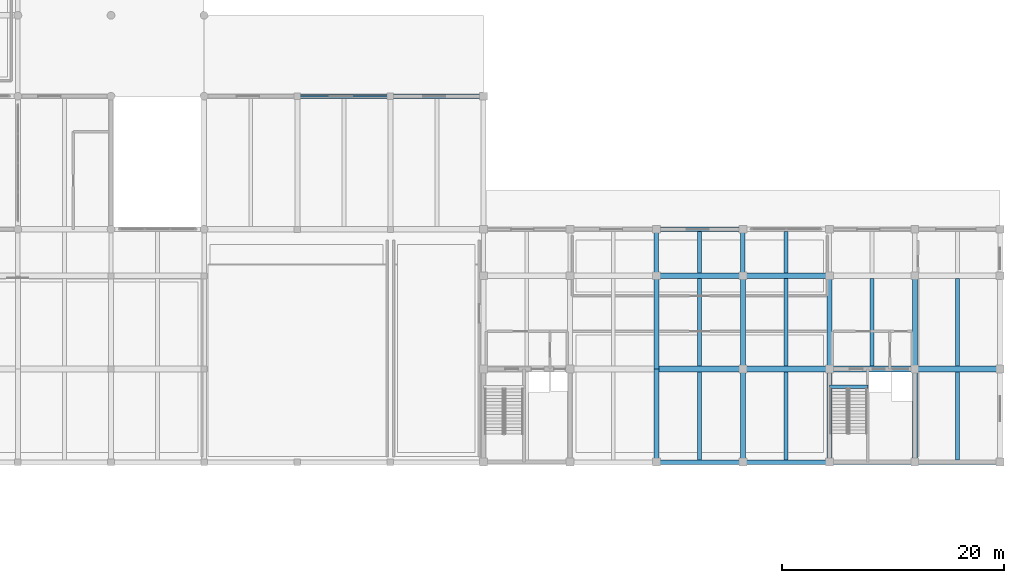
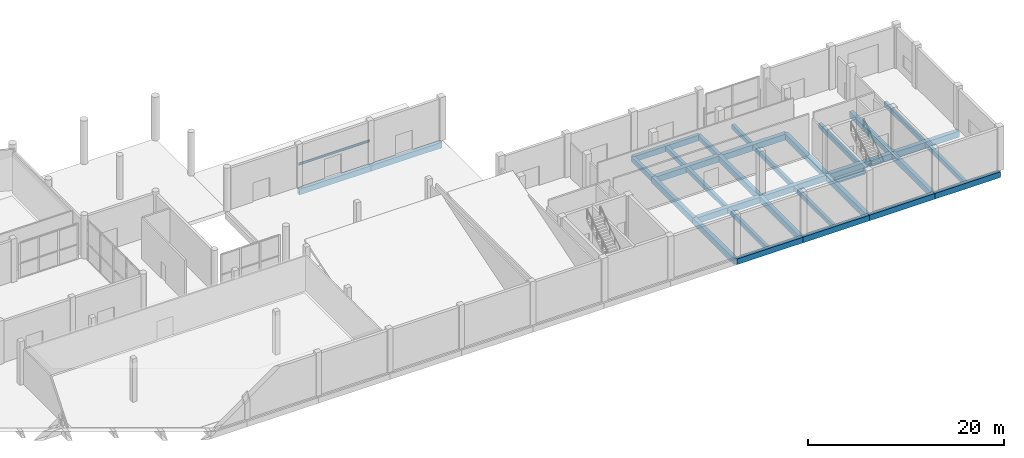
# One storey, part 18 of 41: 34 beams.
"""IFC4 building model written with IfcOpenShell, lengths in metres."""

from ifc_helpers import new_model, si_unit, direction, frame, origin, origin_2d, place, context, subcontext, project, spatial, rectangle, i_section, extrude, material, material_profile, profile_set, type_object, element, save


model = new_model("IFC4")

# Units and contexts
model_context = context("Model", 3, precision=1e-05, world=origin(), true_north=direction((0.0, 1.0)))
body_context = subcontext(model_context, "Body", "Model", "MODEL_VIEW")
ifc_project = project(units=[si_unit("LENGTHUNIT", "METRE"), si_unit("AREAUNIT", "SQUARE_METRE"), si_unit("VOLUMEUNIT", "CUBIC_METRE"), si_unit("PLANEANGLEUNIT", "RADIAN"), si_unit("MASSUNIT", "GRAM", prefix="KILO")], contexts=[model_context])

# Site, building, storey
site_placement = place(None, origin())
site = spatial("IfcSite", under=ifc_project, at=site_placement, CompositionType="ELEMENT")
building_placement = place(site_placement, origin())
building = spatial("IfcBuilding", under=site, at=building_placement, Name="Vharandega Faculty of Natural Sciences", CompositionType="ELEMENT")
storey_placement = place(building_placement, origin())
storey = spatial("IfcBuildingStorey", under=building, at=storey_placement, Name="L00", CompositionType="ELEMENT", Elevation=0.0)

# Beams
ifc_material_1 = material(Name="Concrete C40/50", Category="concrete")
ifc_material_profile_1 = material_profile(ifc_material_1, rectangle(XDim=0.5, YDim=0.75, at=origin_2d()), Name="RC 500x750")
ifc_profile_set_1 = profile_set([ifc_material_profile_1], Name="Concrete C40/50")
beam_type_1 = type_object("IfcBeamType", Name="Podium Primary Beam 500x750", PredefinedType="BEAM", material=ifc_profile_set_1)
for number, where, z_axis, x_axis, name in (
    (1, (130.39990234375, 72.39990234375, -0.675048828125), (1.0, 0.0, 0.0), (0.0, 1.0, 0.0), "Beam L00 K/17-18"),
    (2, (138.199951171875, 72.39990234375, -0.675048828125), (1.0, 0.0, 0.0), (0.0, 1.0, 0.0), "Beam L00 K/18-19"),
):
    element("IfcBeam", number, at=place(storey_placement, frame(where, z_axis=z_axis, x_axis=x_axis)), inside=storey, type_object=beam_type_1, Name=name, PredefinedType="BEAM", context=body_context, shape_type="SweptSolid", body=[
        extrude(rectangle(XDim=0.5, YDim=0.75, at=origin_2d()), origin(), (0.0, 0.0, 1.0), 7.800048828125),
    ])
for number, where, z_axis, x_axis, name in (
    (3, (146.0, 72.39990234375, -0.675048828125), (1.0, 0.0, 0.0), (0.0, 1.0, 0.0), "Beam L00 K/19-20"),
    (4, (153.699951171875, 72.39990234375, -0.675048828125), (1.0, 0.0, 0.0), (0.0, 1.0, 0.0), "Beam L00 K/20-21"),
):
    element("IfcBeam", number, at=place(storey_placement, frame(where, z_axis=z_axis, x_axis=x_axis)), inside=storey, type_object=beam_type_1, Name=name, PredefinedType="BEAM", context=body_context, shape_type="SweptSolid", body=[
        extrude(rectangle(XDim=0.5, YDim=0.75, at=origin_2d()), origin(), (0.0, 0.0, 1.0), 7.699951171875),
    ])
for number, where, z_axis, x_axis, name in (
    (5, (130.39990234375, 80.800048828125, -0.675048828125), (1.0, 0.0, 0.0), (0.0, 1.0, 0.0), "Beam L00 L/17-18"),
    (6, (138.199951171875, 80.800048828125, -0.675048828125), (1.0, 0.0, 0.0), (0.0, 1.0, 0.0), "Beam L00 L/18-19"),
):
    element("IfcBeam", number, at=place(storey_placement, frame(where, z_axis=z_axis, x_axis=x_axis)), inside=storey, type_object=beam_type_1, Name=name, PredefinedType="BEAM", context=body_context, shape_type="SweptSolid", body=[
        extrude(rectangle(XDim=0.5, YDim=0.75, at=origin_2d()), origin(), (0.0, 0.0, 1.0), 7.800048828125),
    ])
ifc_material_2 = material(Name="Concrete C40/50", Category="concrete")
ifc_material_profile_2 = material_profile(ifc_material_2, rectangle(XDim=0.39990234375, YDim=0.60009765625, at=origin_2d()), Name="RC 400x600")
ifc_profile_set_2 = profile_set([ifc_material_profile_2], Name="Concrete C40/50")
beam_type_2 = type_object("IfcBeamType", Name="Podium Rib Beam 400x600", PredefinedType="BEAM", material=ifc_profile_set_2)
for number, where, z_axis, x_axis, name in (
    (7, (130.39990234375, 80.800048828125, -0.60009765625), (0.0, 1.0, 0.0), (-1.0, 0.0, 0.0), "Beam L00 17/L-M"),
    (8, (138.199951171875, 80.800048828125, -0.60009765625), (0.0, 1.0, 0.0), (-1.0, 0.0, 0.0), "Beam L00 18/L-M"),
):
    element("IfcBeam", number, at=place(storey_placement, frame(where, z_axis=z_axis, x_axis=x_axis)), inside=storey, type_object=beam_type_2, Name=name, PredefinedType="BEAM", context=body_context, shape_type="SweptSolid", body=[
        extrude(rectangle(XDim=0.39990234375, YDim=0.60009765625, at=origin_2d()), origin(), (0.0, 0.0, 1.0), 4.199951171875),
    ])
ifc_material_3 = material(Name="Concrete C40/50", Category="concrete")
ifc_material_profile_3 = material_profile(ifc_material_3, rectangle(XDim=0.35009765625, YDim=0.550048828125, at=origin_2d()), Name="RC 350x550")
ifc_profile_set_3 = profile_set([ifc_material_profile_3], Name="Concrete C40/50")
beam_type_3 = type_object("IfcBeamType", Name="Podium Secondary Beam 350x550", PredefinedType="JOIST", material=ifc_profile_set_3)
beam_1_placement = place(storey_placement, frame((134.300048828125, 64.199951171875, -0.574951171875), z_axis=(0.0, 1.0, 0.0), x_axis=(-1.0, 0.0, 0.0)))
element("IfcBeam", 9, at=beam_1_placement, inside=storey, type_object=beam_type_3, Name="Secondary Joist L00 17-18/J-K", PredefinedType="JOIST", context=body_context, shape_type="SweptSolid", body=[
    extrude(rectangle(XDim=0.35009765625, YDim=0.550048828125, at=origin_2d()), origin(), (0.0, 0.0, 1.0), 7.949951171875),
])
beam_2_placement = place(storey_placement, frame((134.300048828125, 72.64990234375, -0.574951171875), z_axis=(0.0, 1.0, 0.0), x_axis=(-1.0, 0.0, 0.0)))
element("IfcBeam", 10, at=beam_2_placement, inside=storey, type_object=beam_type_3, Name="Secondary Joist L00 17-18/K-L", PredefinedType="JOIST", context=body_context, shape_type="SweptSolid", body=[
    extrude(rectangle(XDim=0.35009765625, YDim=0.550048828125, at=origin_2d()), origin(), (0.0, 0.0, 1.0), 7.900146484375),
])
beam_3_placement = place(storey_placement, frame((134.300048828125, 81.050048828125, -0.574951171875), z_axis=(0.0, 1.0, 0.0), x_axis=(-1.0, 0.0, 0.0)))
element("IfcBeam", 11, at=beam_3_placement, inside=storey, type_object=beam_type_3, Name="Secondary Joist L00 17-18/L-M", PredefinedType="JOIST", context=body_context, shape_type="SweptSolid", body=[
    extrude(rectangle(XDim=0.35009765625, YDim=0.550048828125, at=origin_2d()), origin(), (0.0, 0.0, 1.0), 3.75),
])
beam_4_placement = place(storey_placement, frame((142.10009765625, 64.199951171875, -0.574951171875), z_axis=(0.0, 1.0, 0.0), x_axis=(-1.0, 0.0, 0.0)))
element("IfcBeam", 12, at=beam_4_placement, inside=storey, type_object=beam_type_3, Name="Secondary Joist L00 18-19/J-K", PredefinedType="JOIST", context=body_context, shape_type="SweptSolid", body=[
    extrude(rectangle(XDim=0.35009765625, YDim=0.550048828125, at=origin_2d()), origin(), (0.0, 0.0, 1.0), 7.949951171875),
])
beam_5_placement = place(storey_placement, frame((142.10009765625, 72.64990234375, -0.574951171875), z_axis=(0.0, 1.0, 0.0), x_axis=(-1.0, 0.0, 0.0)))
element("IfcBeam", 13, at=beam_5_placement, inside=storey, type_object=beam_type_3, Name="Secondary Joist L00 18-19/K-L", PredefinedType="JOIST", context=body_context, shape_type="SweptSolid", body=[
    extrude(rectangle(XDim=0.35009765625, YDim=0.550048828125, at=origin_2d()), origin(), (0.0, 0.0, 1.0), 7.900146484375),
])
beam_6_placement = place(storey_placement, frame((142.10009765625, 81.050048828125, -0.574951171875), z_axis=(0.0, 1.0, 0.0), x_axis=(-1.0, 0.0, 0.0)))
element("IfcBeam", 14, at=beam_6_placement, inside=storey, type_object=beam_type_3, Name="Secondary Joist L00 18-19/L-M", PredefinedType="JOIST", context=body_context, shape_type="SweptSolid", body=[
    extrude(rectangle(XDim=0.35009765625, YDim=0.550048828125, at=origin_2d()), origin(), (0.0, 0.0, 1.0), 3.75),
])
beam_7_placement = place(storey_placement, frame((149.85009765625, 72.64990234375, -0.574951171875), z_axis=(0.0, 1.0, 0.0), x_axis=(-1.0, 0.0, 0.0)))
element("IfcBeam", 15, at=beam_7_placement, inside=storey, type_object=beam_type_3, Name="Secondary Joist L00 19-20/K-L", PredefinedType="JOIST", context=body_context, shape_type="SweptSolid", body=[
    extrude(rectangle(XDim=0.35009765625, YDim=0.550048828125, at=origin_2d()), origin(), (0.0, 0.0, 1.0), 7.900146484375),
])
beam_8_placement = place(storey_placement, frame((157.550048828125, 64.199951171875, -0.574951171875), z_axis=(0.0, 1.0, 0.0), x_axis=(-1.0, 0.0, 0.0)))
element("IfcBeam", 16, at=beam_8_placement, inside=storey, type_object=beam_type_3, Name="Secondary Joist L00 20-21/J-K", PredefinedType="JOIST", context=body_context, shape_type="SweptSolid", body=[
    extrude(rectangle(XDim=0.35009765625, YDim=0.550048828125, at=origin_2d()), origin(), (0.0, 0.0, 1.0), 7.949951171875),
])
beam_9_placement = place(storey_placement, frame((157.550048828125, 72.64990234375, -0.574951171875), z_axis=(0.0, 1.0, 0.0), x_axis=(-1.0, 0.0, 0.0)))
element("IfcBeam", 17, at=beam_9_placement, inside=storey, type_object=beam_type_3, Name="Secondary Joist L00 20-21/K-L", PredefinedType="JOIST", context=body_context, shape_type="SweptSolid", body=[
    extrude(rectangle(XDim=0.35009765625, YDim=0.550048828125, at=origin_2d()), origin(), (0.0, 0.0, 1.0), 7.900146484375),
])
ifc_material_4 = material(Name="Concrete C40/50", Category="concrete")
ifc_material_profile_4 = material_profile(ifc_material_4, rectangle(XDim=0.39990234375, YDim=0.699951171875, at=origin_2d()), Name="RC 400x700")
ifc_profile_set_4 = profile_set([ifc_material_profile_4], Name="Concrete C40/50")
beam_type_4 = type_object("IfcBeamType", Name="Podium Spandrel Beam 400x700", PredefinedType="SPANDREL", material=ifc_profile_set_4)
for number, where, z_axis, x_axis, name in (
    (18, (130.39990234375, 64.0, -0.64990234375), (1.0, 0.0, 0.0), (0.0, 1.0, 0.0), "Beam L00 J/17-18"),
    (19, (138.199951171875, 64.0, -0.64990234375), (1.0, 0.0, 0.0), (0.0, 1.0, 0.0), "Beam L00 J/18-19"),
):
    element("IfcBeam", number, at=place(storey_placement, frame(where, z_axis=z_axis, x_axis=x_axis)), inside=storey, type_object=beam_type_4, Name=name, PredefinedType="SPANDREL", context=body_context, shape_type="SweptSolid", body=[
        extrude(rectangle(XDim=0.39990234375, YDim=0.699951171875, at=origin_2d()), origin(), (0.0, 0.0, 1.0), 7.800048828125),
    ])
for number, where, z_axis, x_axis, name in (
    (20, (146.0, 64.0, -0.64990234375), (1.0, 0.0, 0.0), (0.0, 1.0, 0.0), "Beam L00 J/19-20"),
    (21, (153.699951171875, 64.0, -0.64990234375), (1.0, 0.0, 0.0), (0.0, 1.0, 0.0), "Beam L00 J/20-21"),
):
    element("IfcBeam", number, at=place(storey_placement, frame(where, z_axis=z_axis, x_axis=x_axis)), inside=storey, type_object=beam_type_4, Name=name, PredefinedType="SPANDREL", context=body_context, shape_type="SweptSolid", body=[
        extrude(rectangle(XDim=0.39990234375, YDim=0.699951171875, at=origin_2d()), origin(), (0.0, 0.0, 1.0), 7.699951171875),
    ])
beam_10_placement = place(storey_placement, frame((130.39990234375, 85.0, -0.64990234375), z_axis=(1.0, 0.0, 0.0), x_axis=(0.0, 1.0, 0.0)))
element("IfcBeam", 22, at=beam_10_placement, inside=storey, type_object=beam_type_4, Name="Beam L00 M/17-18", PredefinedType="SPANDREL", context=body_context, shape_type="SweptSolid", body=[
    extrude(rectangle(XDim=0.39990234375, YDim=0.699951171875, at=origin_2d()), origin(), (0.0, 0.0, 1.0), 7.800048828125),
])
beam_11_placement = place(storey_placement, frame((98.0, 97.0, -0.64990234375), z_axis=(1.0, 0.0, 0.0), x_axis=(0.0, 1.0, 0.0)))
element("IfcBeam", 23, at=beam_11_placement, inside=storey, type_object=beam_type_4, Name="Beam L00 N/13-14", PredefinedType="SPANDREL", context=body_context, shape_type="SweptSolid", body=[
    extrude(rectangle(XDim=0.39990234375, YDim=0.699951171875, at=origin_2d()), origin(), (0.0, 0.0, 1.0), 8.39990234375),
])
beam_12_placement = place(storey_placement, frame((106.39990234375, 97.0, -0.64990234375), z_axis=(1.0, 0.0, 0.0), x_axis=(0.0, 1.0, 0.0)))
element("IfcBeam", 24, at=beam_12_placement, inside=storey, type_object=beam_type_4, Name="Beam L00 N/14-15", PredefinedType="SPANDREL", context=body_context, shape_type="SweptSolid", body=[
    extrude(rectangle(XDim=0.39990234375, YDim=0.699951171875, at=origin_2d()), origin(), (0.0, 0.0, 1.0), 8.400146484375),
])
ifc_material_5 = material(Name="Concrete C40/50", Category="concrete")
ifc_material_profile_5 = material_profile(ifc_material_5, rectangle(XDim=0.449951171875, YDim=0.75, at=origin_2d()), Name="RC 450x750")
ifc_profile_set_5 = profile_set([ifc_material_profile_5], Name="Concrete C40/50")
beam_type_5 = type_object("IfcBeamType", Name="Podium Spine Beam 450x750", PredefinedType="BEAM", material=ifc_profile_set_5)
beam_13_placement = place(storey_placement, frame((130.39990234375, 64.0, -0.675048828125), z_axis=(0.0, 1.0, 0.0), x_axis=(-1.0, 0.0, 0.0)))
element("IfcBeam", 25, at=beam_13_placement, inside=storey, type_object=beam_type_5, Name="Beam L00 17/J-K", PredefinedType="BEAM", context=body_context, shape_type="SweptSolid", body=[
    extrude(rectangle(XDim=0.449951171875, YDim=0.75, at=origin_2d()), origin(), (0.0, 0.0, 1.0), 8.39990234375),
])
beam_14_placement = place(storey_placement, frame((130.39990234375, 72.39990234375, -0.675048828125), z_axis=(0.0, 1.0, 0.0), x_axis=(-1.0, 0.0, 0.0)))
element("IfcBeam", 26, at=beam_14_placement, inside=storey, type_object=beam_type_5, Name="Beam L00 17/K-L", PredefinedType="BEAM", context=body_context, shape_type="SweptSolid", body=[
    extrude(rectangle(XDim=0.449951171875, YDim=0.75, at=origin_2d()), origin(), (0.0, 0.0, 1.0), 8.400146484375),
])
beam_15_placement = place(storey_placement, frame((138.199951171875, 64.0, -0.675048828125), z_axis=(0.0, 1.0, 0.0), x_axis=(-1.0, 0.0, 0.0)))
element("IfcBeam", 27, at=beam_15_placement, inside=storey, type_object=beam_type_5, Name="Beam L00 18/J-K", PredefinedType="BEAM", context=body_context, shape_type="SweptSolid", body=[
    extrude(rectangle(XDim=0.449951171875, YDim=0.75, at=origin_2d()), origin(), (0.0, 0.0, 1.0), 8.39990234375),
])
beam_16_placement = place(storey_placement, frame((138.199951171875, 72.39990234375, -0.675048828125), z_axis=(0.0, 1.0, 0.0), x_axis=(-1.0, 0.0, 0.0)))
element("IfcBeam", 28, at=beam_16_placement, inside=storey, type_object=beam_type_5, Name="Beam L00 18/K-L", PredefinedType="BEAM", context=body_context, shape_type="SweptSolid", body=[
    extrude(rectangle(XDim=0.449951171875, YDim=0.75, at=origin_2d()), origin(), (0.0, 0.0, 1.0), 8.400146484375),
])
beam_17_placement = place(storey_placement, frame((146.0, 64.0, -0.675048828125), z_axis=(0.0, 1.0, 0.0), x_axis=(-1.0, 0.0, 0.0)))
element("IfcBeam", 29, at=beam_17_placement, inside=storey, type_object=beam_type_5, Name="Beam L00 19/J-K", PredefinedType="BEAM", context=body_context, shape_type="SweptSolid", body=[
    extrude(rectangle(XDim=0.449951171875, YDim=0.75, at=origin_2d()), origin(), (0.0, 0.0, 1.0), 8.39990234375),
])
beam_18_placement = place(storey_placement, frame((146.0, 72.39990234375, -0.675048828125), z_axis=(0.0, 1.0, 0.0), x_axis=(-1.0, 0.0, 0.0)))
element("IfcBeam", 30, at=beam_18_placement, inside=storey, type_object=beam_type_5, Name="Beam L00 19/K-L", PredefinedType="BEAM", context=body_context, shape_type="SweptSolid", body=[
    extrude(rectangle(XDim=0.449951171875, YDim=0.75, at=origin_2d()), origin(), (0.0, 0.0, 1.0), 8.400146484375),
])
beam_19_placement = place(storey_placement, frame((153.699951171875, 64.0, -0.675048828125), z_axis=(0.0, 1.0, 0.0), x_axis=(-1.0, 0.0, 0.0)))
element("IfcBeam", 31, at=beam_19_placement, inside=storey, type_object=beam_type_5, Name="Beam L00 20/J-K", PredefinedType="BEAM", context=body_context, shape_type="SweptSolid", body=[
    extrude(rectangle(XDim=0.449951171875, YDim=0.75, at=origin_2d()), origin(), (0.0, 0.0, 1.0), 8.39990234375),
])
beam_20_placement = place(storey_placement, frame((153.699951171875, 72.39990234375, -0.675048828125), z_axis=(0.0, 1.0, 0.0), x_axis=(-1.0, 0.0, 0.0)))
element("IfcBeam", 32, at=beam_20_placement, inside=storey, type_object=beam_type_5, Name="Beam L00 20/K-L", PredefinedType="BEAM", context=body_context, shape_type="SweptSolid", body=[
    extrude(rectangle(XDim=0.449951171875, YDim=0.75, at=origin_2d()), origin(), (0.0, 0.0, 1.0), 8.400146484375),
])
ifc_material_6 = material(Name="Concrete C40/50", Category="concrete")
ifc_material_profile_6 = material_profile(ifc_material_6, rectangle(XDim=0.35009765625, YDim=0.550048828125, at=origin_2d()), Name="RC 350x550")
ifc_profile_set_6 = profile_set([ifc_material_profile_6], Name="Concrete C40/50")
beam_type_6 = type_object("IfcBeamType", Name="Stair Header Trimmer Beam 350x550", PredefinedType="BEAM", material=ifc_profile_set_6)
beam_21_placement = place(storey_placement, frame((146.0, 70.800048828125, -0.27490234375), z_axis=(1.0, 0.0, 0.0), x_axis=(0.0, 1.0, 0.0)))
element("IfcBeam", 33, at=beam_21_placement, inside=storey, type_object=beam_type_6, Name="Stair Landing Trimmer Beam C2 L00", PredefinedType="BEAM", context=body_context, shape_type="SweptSolid", body=[
    extrude(rectangle(XDim=0.35009765625, YDim=0.550048828125, at=origin_2d()), origin(), (0.0, 0.0, 1.0), 3.4599609375),
])
ifc_material_7 = material(Name="Steel S355", Category="steel")
ifc_material_profile_7 = material_profile(ifc_material_7, i_section(OverallWidth=0.135009765625, OverallDepth=0.27001953125, WebThickness=0.006591796875, FlangeThickness=0.01025390625, FilletRadius=0.014892578125, at=origin_2d()), Name="IPE 270")
ifc_profile_set_7 = profile_set([ifc_material_profile_7], Name="Steel S355")
beam_type_7 = type_object("IfcBeamType", Name="Steel Opening Lintel IPE 270", PredefinedType="LINTEL", material=ifc_profile_set_7)
beam_22_placement = place(storey_placement, frame((98.0, 97.0, 2.715087890625), z_axis=(1.0, 0.0, 0.0), x_axis=(0.0, 1.0, 0.0)))
element("IfcBeam", 34, at=beam_22_placement, inside=storey, type_object=beam_type_7, Name="Opening Lintel L00-04", PredefinedType="LINTEL", context=body_context, shape_type="SweptSolid", body=[
    extrude(i_section(OverallWidth=0.135009765625, OverallDepth=0.27001953125, WebThickness=0.006591796875, FlangeThickness=0.01025390625, FilletRadius=0.014892578125, at=origin_2d()), origin(), (0.0, 0.0, 1.0), 8.39990234375),
])

save(model, "model.ifc")
